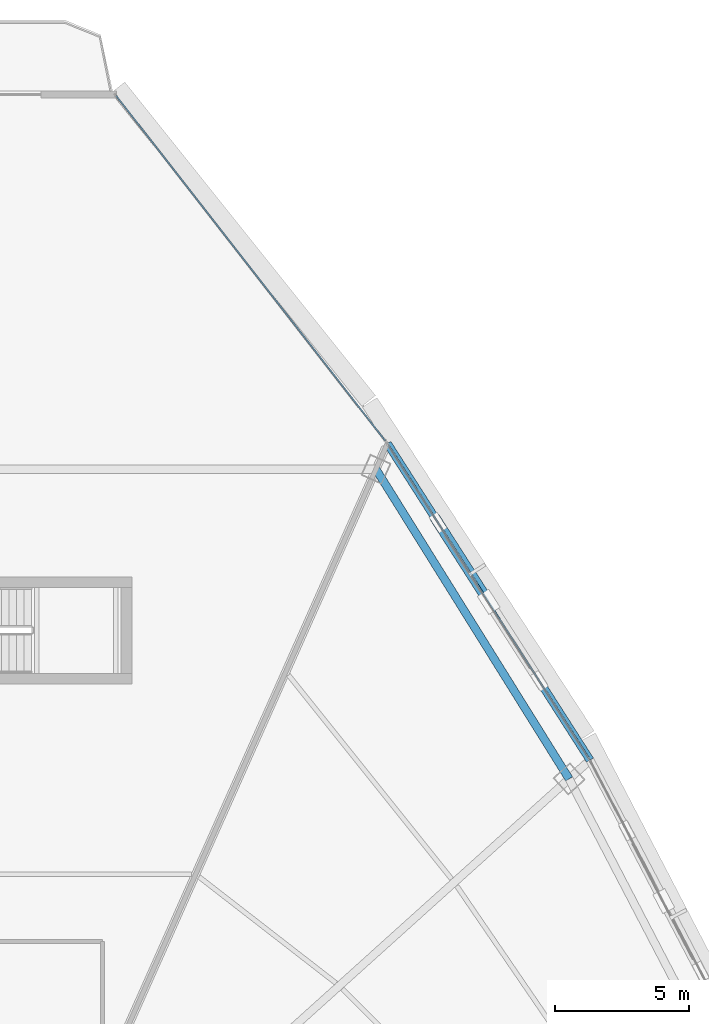
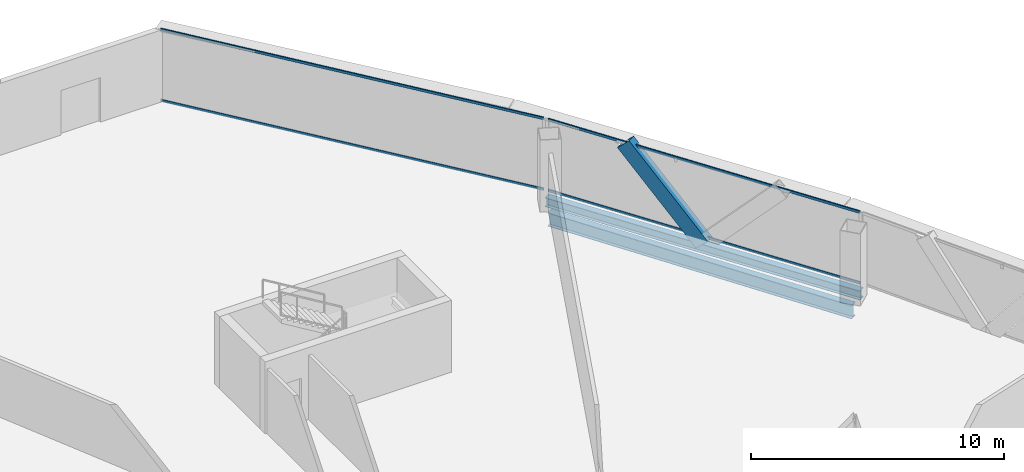
# One storey, part 23 of 36: 5 members, 2 beams, 2 elements without a shape of their own.
"""IFC4 building model written with IfcOpenShell, lengths in metres."""

from ifc_helpers import new_model, si_unit, direction, frame, origin, origin_2d, place, context, subcontext, project, spatial, hollow_rectangle, i_section, extrude, source, transform, mapped, material, layer, layer_set, material_profile, profile_set, type_object, element, aggregate, save


model = new_model("IFC4")

# Units and contexts
model_context = context("Model", 3, precision=1e-05, world=origin(), true_north=direction((0.0, 1.0)))
body_context = subcontext(model_context, "Body", "Model", "MODEL_VIEW")
ifc_project = project(units=[si_unit("LENGTHUNIT", "METRE"), si_unit("AREAUNIT", "SQUARE_METRE"), si_unit("VOLUMEUNIT", "CUBIC_METRE"), si_unit("PLANEANGLEUNIT", "RADIAN"), si_unit("MASSUNIT", "GRAM", prefix="KILO"), si_unit("THERMODYNAMICTEMPERATUREUNIT", "KELVIN"), si_unit("POWERUNIT", "WATT")], contexts=[model_context])

# Site, building, storey
site_placement = place(None, origin())
site = spatial("IfcSite", under=ifc_project, at=site_placement, CompositionType="ELEMENT")
building_placement = place(site_placement, origin())
building = spatial("IfcBuilding", under=site, at=building_placement, Name="Yunzhuo Pagoda Commons", CompositionType="ELEMENT")
storey_placement = place(building_placement, frame((0.0, 0.0, 263.179931640625)))
storey = spatial("IfcBuildingStorey", under=building, at=storey_placement, Name="L66", CompositionType="ELEMENT", Elevation=263.179931640625)

# Beams
ifc_material_1 = material(Name="Structural steel Q355B", Category="steel")
ifc_material_profile_1 = material_profile(ifc_material_1, i_section(OverallWidth=0.300048828125, OverallDepth=0.64990234375, WebThickness=0.012939453125, FlangeThickness=0.02197265625, at=origin_2d()), Name="Structural steel Q355B")
ifc_profile_set_1 = profile_set([ifc_material_profile_1], Name="Structural steel Q355B")
beam_type_1 = type_object("IfcBeamType", Name="B-RG2 Beam HN 650x300x13x22", PredefinedType="BEAM", material=ifc_profile_set_1)
shared_shape_1 = source(origin(), body_context, "Body", "SweptSolid", [
    extrude(i_section(OverallWidth=0.300048828125, OverallDepth=0.64990234375, WebThickness=0.012939453125, FlangeThickness=0.02197265625, at=origin_2d()), origin(), (0.0, 0.0, 1.0), 13.615478515625),
])
beam_1_placement = place(storey_placement, frame((68.61181640625, 52.259033203125, -0.5849609375), z_axis=(-0.529178300485, 0.848510651846, 0.0), x_axis=(-0.848510651846, -0.529178300485, 0.0)))
element("IfcBeam", 1, at=beam_1_placement, inside=storey, type_object=beam_type_1, Name="L66 column-ring beam 7", PredefinedType="BEAM", context=body_context, shape_type="MappedRepresentation", body=[
    mapped(shared_shape_1, transform((0.0, 0.0, 0.0), scale=1.0)),
])
ifc_material_profile_2 = material_profile(ifc_material_1, i_section(OverallWidth=0.300048828125, OverallDepth=0.43994140625, WebThickness=0.010986328125, FlangeThickness=0.01806640625, at=origin_2d()), Name="Structural steel Q355B")
ifc_profile_set_2 = profile_set([ifc_material_profile_2], Name="Structural steel Q355B")
beam_type_2 = type_object("IfcBeamType", Name="B-SP2 Beam HM 440x300x11x18", PredefinedType="BEAM", material=ifc_profile_set_2)
shared_shape_2 = source(origin(), body_context, "Body", "SweptSolid", [
    extrude(i_section(OverallWidth=0.300048828125, OverallDepth=0.43994140625, WebThickness=0.010986328125, FlangeThickness=0.01806640625, at=origin_2d()), origin(), (0.0, 0.0, 1.0), 14.02099609375),
])
beam_2_placement = place(storey_placement, frame((69.39208984375, 52.961669921875, -0.47998046875), z_axis=(-0.53907296662, 0.842259067425, 0.0), x_axis=(-0.842259067425, -0.53907296662, 0.0)))
element("IfcBeam", 2, at=beam_2_placement, inside=storey, type_object=beam_type_2, Name="L66 facade edge spandrel beam F2.3", PredefinedType="BEAM", context=body_context, shape_type="MappedRepresentation", body=[
    mapped(shared_shape_2, transform((0.0, 0.0, 0.0), scale=1.0)),
])

# Member
ifc_material_profile_3 = material_profile(ifc_material_1, hollow_rectangle(XDim=0.3798828125, YDim=0.719970703125, WallThickness=0.02001953125, at=origin_2d()), Name="Structural steel Q355B")
ifc_profile_set_3 = profile_set([ifc_material_profile_3], Name="Structural steel Q355B")
member_type_1 = type_object("IfcMemberType", Name="M-DL3 Brace BOX 720x380x20", PredefinedType="BRACE", material=ifc_profile_set_3)
shared_shape_3 = source(origin(), body_context, "Body", "SweptSolid", [
    extrude(hollow_rectangle(XDim=0.3798828125, YDim=0.719970703125, WallThickness=0.02001953125, at=origin_2d()), origin(), (0.0, 0.0, 1.0), 5.118408203125),
])
member_1_placement = place(storey_placement, frame((65.61279296875, 58.866455078125, -0.260009765625), z_axis=(-0.369131134772, 0.57680615232, 0.728722764834), x_axis=(-0.842287844513, -0.539028002042, 0.0)))
element("IfcMember", 3, at=member_1_placement, inside=storey, type_object=member_type_1, Name="L66 facade diamond brace F2.3R", PredefinedType="BRACE", context=body_context, shape_type="MappedRepresentation", body=[
    mapped(shared_shape_3, transform((0.0, 0.0, 0.0), scale=1.0)),
])

# Curtain wall, members
ifc_material_2 = material(Name="Anodized aluminium 6063-T6", Category="aluminium")
ifc_layer = layer(ifc_material_2, 0.139892578125)
ifc_layer_set = layer_set([ifc_layer], Name="Anodized aluminium 6063-T6")
curtain_wall_type = type_object("IfcCurtainWallType", Name="CW-HI High-Zone Ribbon Curtain Wall", PredefinedType="NOTDEFINED", material=ifc_layer_set)
curtain_wall_1_placement = place(storey_placement, origin())
curtain_wall_1 = element("IfcCurtainWall", 4, at=curtain_wall_1_placement, inside=storey, type_object=curtain_wall_type, Name="L66 curtain wall CW-L66-F2B4", PredefinedType="NOTDEFINED")
ifc_material_profile_4 = material_profile(ifc_material_2, hollow_rectangle(XDim=0.054931640625, YDim=0.1201171875, WallThickness=0.00341796875, at=origin_2d()), Name="Anodized aluminium 6063-T6")
ifc_profile_set_4 = profile_set([ifc_material_profile_4], Name="Anodized aluminium 6063-T6")
member_type_2 = type_object("IfcMemberType", Name="CW-HI-T Transom RHS 120x55x3.5", PredefinedType="USERDEFINED", material=ifc_profile_set_4)
shared_shape_4 = source(origin(), body_context, "Body", "SweptSolid", [
    extrude(hollow_rectangle(XDim=0.054931640625, YDim=0.1201171875, WallThickness=0.00341796875, at=origin_2d()), origin(), (0.0, 0.0, 1.0), 13.901123046875),
])
member_2_placement = place(storey_placement, frame((69.35986328125, 53.01220703125, 0.02783203125), z_axis=(-0.539085093496, 0.84225130571, 0.0), x_axis=(-0.84225130571, -0.539085093496, 0.0)))
member_2 = element("IfcMember", 5, at=member_2_placement, type_object=member_type_2, Name="CW transom 1.1", ObjectType="TRANSOM", PredefinedType="USERDEFINED", context=body_context, shape_type="MappedRepresentation", body=[
    mapped(shared_shape_4, transform((0.0, 0.0, 0.0), scale=1.0)),
])
member_3_placement = place(storey_placement, frame((69.35986328125, 53.01220703125, 3.442626953125), z_axis=(-0.539085093496, 0.84225130571, 0.0), x_axis=(-0.84225130571, -0.539085093496, 0.0)))
member_3 = element("IfcMember", 6, at=member_3_placement, type_object=member_type_2, Name="CW transom 1.2", ObjectType="TRANSOM", PredefinedType="USERDEFINED", context=body_context, shape_type="MappedRepresentation", body=[
    mapped(shared_shape_4, transform((0.0, 0.0, 0.0), scale=1.0)),
])
aggregate(curtain_wall_1, [member_2, member_3])

curtain_wall_2_placement = place(storey_placement, origin())
curtain_wall_2 = element("IfcCurtainWall", 7, at=curtain_wall_2_placement, inside=storey, type_object=curtain_wall_type, Name="L66 curtain wall CW-L66-F2B5", PredefinedType="NOTDEFINED")
shared_shape_5 = source(origin(), body_context, "Body", "SweptSolid", [
    extrude(hollow_rectangle(XDim=0.054931640625, YDim=0.1201171875, WallThickness=0.00341796875, at=origin_2d()), origin(), (0.0, 0.0, 1.0), 16.322998046875),
])
member_4_placement = place(storey_placement, frame((61.750732421875, 64.87744140625, 0.02783203125), z_axis=(-0.615057278279, 0.788482431279, 0.0), x_axis=(-0.788482431279, -0.615057278279, 0.0)))
member_4 = element("IfcMember", 8, at=member_4_placement, type_object=member_type_2, Name="CW transom 1.1", ObjectType="TRANSOM", PredefinedType="USERDEFINED", context=body_context, shape_type="MappedRepresentation", body=[
    mapped(shared_shape_5, transform((0.0, 0.0, 0.0), scale=1.0)),
])
member_5_placement = place(storey_placement, frame((61.750732421875, 64.87744140625, 3.442626953125), z_axis=(-0.615057278279, 0.788482431279, 0.0), x_axis=(-0.788482431279, -0.615057278279, 0.0)))
member_5 = element("IfcMember", 9, at=member_5_placement, type_object=member_type_2, Name="CW transom 1.2", ObjectType="TRANSOM", PredefinedType="USERDEFINED", context=body_context, shape_type="MappedRepresentation", body=[
    mapped(shared_shape_5, transform((0.0, 0.0, 0.0), scale=1.0)),
])
aggregate(curtain_wall_2, [member_4, member_5])

save(model, "model.ifc")
